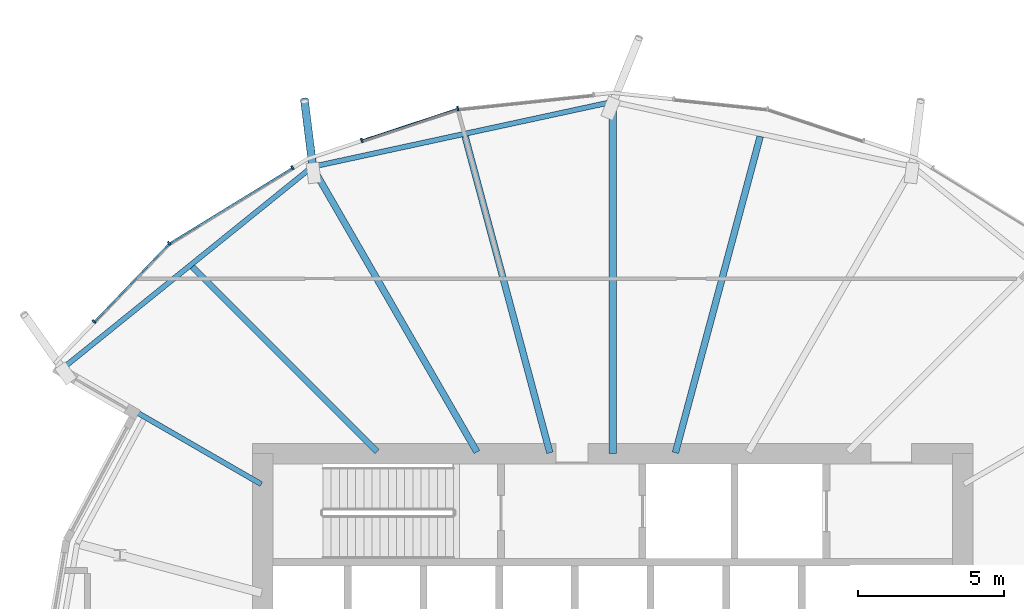
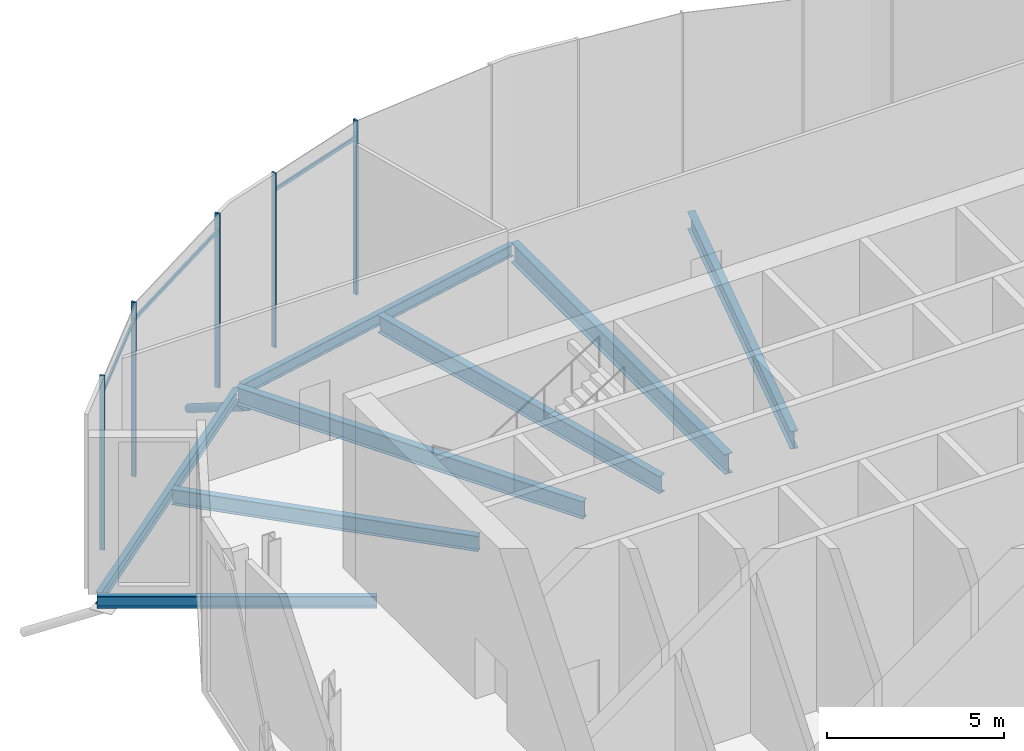
# One storey, part 7 of 38: 9 members, 8 beams, 1 element without a shape of its own.
"""IFC4 building model written with IfcOpenShell, lengths in metres."""

from ifc_helpers import new_model, si_unit, direction, frame, origin, origin_2d, place, context, subcontext, project, spatial, rectangle, hollow_circle, i_section, extrude, clip, halfspace, material, material_profile, profile_set, type_object, element, aggregate, save


model = new_model("IFC4")

# Units and contexts
model_context = context("Model", 3, precision=1e-05, world=origin(), true_north=direction((0.0, 1.0)))
body_context = subcontext(model_context, "Body", "Model", "MODEL_VIEW")
ifc_project = project(units=[si_unit("LENGTHUNIT", "METRE"), si_unit("AREAUNIT", "SQUARE_METRE"), si_unit("VOLUMEUNIT", "CUBIC_METRE"), si_unit("PLANEANGLEUNIT", "RADIAN"), si_unit("MASSUNIT", "GRAM", prefix="KILO")], contexts=[model_context])

# Site, building, storey
site_placement = place(None, origin())
site = spatial("IfcSite", under=ifc_project, at=site_placement, CompositionType="ELEMENT")
building_placement = place(site_placement, origin())
building = spatial("IfcBuilding", under=site, at=building_placement, Name="Rimbun Link Towers", CompositionType="ELEMENT")
storey_placement = place(building_placement, frame((0.0, 0.0, 133.199951171875)))
storey = spatial("IfcBuildingStorey", under=building, at=storey_placement, Name="L32", CompositionType="ELEMENT", Elevation=133.199951171875)

# Curtain wall, members
ifc_material_1 = material(Name="Aluminium 6063-T6 and low-iron glass", Category="aluminium")
curtain_wall_type = type_object("IfcCurtainWallType", Name="CW5 full height lobby wall", PredefinedType="NOTDEFINED", material=ifc_material_1)
curtain_wall_placement = place(storey_placement, origin())
curtain_wall = element("IfcCurtainWall", 1, at=curtain_wall_placement, inside=storey, type_object=curtain_wall_type, Name="CW5 L32 T1", PredefinedType="NOTDEFINED")
ifc_material_2 = material(Name="Aluminium 6063-T6", Category="aluminium")
ifc_material_profile_1 = material_profile(ifc_material_2, rectangle(XDim=0.14990234375, YDim=0.06005859375, at=origin_2d()), Name="MULLION 60X150")
ifc_profile_set_1 = profile_set([ifc_material_profile_1], Name="Aluminium 6063-T6")
member_type_1 = type_object("IfcMemberType", Name="CW5 mullion 60X150", PredefinedType="MULLION", material=ifc_profile_set_1)
member_1_placement = place(storey_placement, frame((-37.059814453125, 19.831298828125, 0.0), z_axis=(0.0, 0.0, 1.0), x_axis=(-0.210874693144, 0.977513101596, 0.0)))
member_1 = element("IfcMember", 2, at=member_1_placement, type_object=member_type_1, Name="CW5 mullion", PredefinedType="MULLION", context=body_context, shape_type="SweptSolid", body=[
    extrude(rectangle(XDim=0.14990234375, YDim=0.06005859375, at=origin_2d()), origin(), (0.0, 0.0, 1.0), 6.0),
])
member_2_placement = place(storey_placement, frame((-40.34814453125, 18.7421875, 0.0), z_axis=(0.0, 0.0, 1.0), x_axis=(-0.314567961741, 0.949234953763, 0.0)))
member_2 = element("IfcMember", 3, at=member_2_placement, type_object=member_type_1, Name="CW5 mullion", PredefinedType="MULLION", context=body_context, shape_type="SweptSolid", body=[
    extrude(rectangle(XDim=0.14990234375, YDim=0.06005859375, at=origin_2d()), origin(), (0.0, 0.0, 1.0), 6.0),
])
member_3_placement = place(storey_placement, frame((-46.951171875, 15.212646484375, 0.0), z_axis=(0.0, 0.0, 1.0), x_axis=(-0.627670674715, 0.778478981157, 0.0)))
member_3 = element("IfcMember", 4, at=member_3_placement, type_object=member_type_1, Name="CW5 mullion", PredefinedType="MULLION", context=body_context, shape_type="SweptSolid", body=[
    extrude(rectangle(XDim=0.14990234375, YDim=0.06005859375, at=origin_2d()), origin(), (0.0, 0.0, 1.0), 6.0),
])
member_4_placement = place(storey_placement, frame((-42.72607421875, 17.807373046875, 0.0), z_axis=(0.0, 0.0, 1.0), x_axis=(-0.523225378089, 0.852194346217, 0.0)))
member_4 = element("IfcMember", 5, at=member_4_placement, type_object=member_type_1, Name="CW5 mullion", PredefinedType="MULLION", context=body_context, shape_type="SweptSolid", body=[
    extrude(rectangle(XDim=0.14990234375, YDim=0.06005859375, at=origin_2d()), origin(), (0.0, 0.0, 1.0), 6.0),
])
member_5_placement = place(storey_placement, frame((-49.52685546875, 12.52685546875, 0.0), z_axis=(0.0, 0.0, 1.0), x_axis=(-0.721858090698, 0.692041109252, 0.0)))
member_5 = element("IfcMember", 6, at=member_5_placement, type_object=member_type_1, Name="CW5 mullion", PredefinedType="MULLION", context=body_context, shape_type="SweptSolid", body=[
    extrude(rectangle(XDim=0.14990234375, YDim=0.06005859375, at=origin_2d()), origin(), (0.0, 0.0, 1.0), 6.0),
])
ifc_material_3 = material(Name="Aluminium 6063-T6", Category="aluminium")
ifc_material_profile_2 = material_profile(ifc_material_3, rectangle(XDim=0.06005859375, YDim=0.1201171875, at=origin_2d()), Name="TRANSOM 60X120")
ifc_profile_set_2 = profile_set([ifc_material_profile_2], Name="Aluminium 6063-T6")
member_type_2 = type_object("IfcMemberType", Name="CW5 transom 60X120", PredefinedType="USERDEFINED", material=ifc_profile_set_2)
member_6_placement = place(storey_placement, frame((-40.3154296875, 18.7392578125, 5.400146484375), z_axis=(0.949242594948, 0.314544902893, 0.0), x_axis=(-0.314544902893, 0.949242594948, 0.0)))
member_6 = element("IfcMember", 7, at=member_6_placement, type_object=member_type_2, Name="CW5 transom", ObjectType="TRANSOM", PredefinedType="USERDEFINED", context=body_context, shape_type="SweptSolid", body=[
    extrude(rectangle(XDim=0.06005859375, YDim=0.1201171875, at=origin_2d()), origin(), (0.0, 0.0, 1.0), 3.395751953125),
])
member_7_placement = place(storey_placement, frame((-46.9111328125, 15.22265625, 5.400146484375), z_axis=(0.852182554645, 0.523244582923, 0.0), x_axis=(-0.523244582923, 0.852182554645, 0.0)))
member_7 = element("IfcMember", 8, at=member_7_placement, type_object=member_type_2, Name="CW5 transom", ObjectType="TRANSOM", PredefinedType="USERDEFINED", context=body_context, shape_type="SweptSolid", body=[
    extrude(rectangle(XDim=0.06005859375, YDim=0.1201171875, at=origin_2d()), origin(), (0.0, 0.0, 1.0), 4.888916015625),
])
member_8_placement = place(storey_placement, frame((-49.496826171875, 12.53955078125, 5.400146484375), z_axis=(0.692040396922, 0.721858773603, 0.0), x_axis=(-0.721858773603, 0.692040396922, 0.0)))
member_8 = element("IfcMember", 9, at=member_8_placement, type_object=member_type_2, Name="CW5 transom", ObjectType="TRANSOM", PredefinedType="USERDEFINED", context=body_context, shape_type="SweptSolid", body=[
    extrude(rectangle(XDim=0.06005859375, YDim=0.1201171875, at=origin_2d()), origin(), (0.0, 0.0, 1.0), 3.651611328125),
])
aggregate(curtain_wall, [member_1, member_2, member_3, member_4, member_5, member_6, member_7, member_8])

# Member
ifc_material_4 = material(Name="Steel S355J2H", Category="steel")
ifc_material_profile_3 = material_profile(ifc_material_4, hollow_circle(Radius=0.136474609375, WallThickness=0.012451171875, at=origin_2d()), Name="CHS 273x12.5")
ifc_profile_set_3 = profile_set([ifc_material_profile_3], Name="Steel S355J2H")
member_type_3 = type_object("IfcMemberType", Name="Floor edge link CHS 273x12.5", PredefinedType="BRACE", material=ifc_profile_set_3)
member_9_placement = place(storey_placement, frame((-42.02294921875, 17.793212890625, -0.900146484375), z_axis=(-0.107708067063, 0.857638902766, -0.502846382857), x_axis=(-0.992206060806, -0.12460791668, 0.0)))
element("IfcMember", 10, at=member_9_placement, inside=storey, type_object=member_type_3, Name="Floor edge link T1 L32 08", PredefinedType="BRACE", context=body_context, shape_type="Clipping", body=[
    clip(extrude(hollow_circle(Radius=0.136474609375, WallThickness=0.012451171875, at=origin_2d()), frame((0.0, 0.0, -0.4892578125)), (0.0, 0.0, 1.0), 3.21826171875), halfspace(frame((0.0, 0.0, -0.22998046875), z_axis=(0.0, 0.864375795154, -0.502846382857)), False)),
])

# Beams
ifc_material_5 = material(Name="Steel S355J2", Category="steel")
ifc_material_profile_4 = material_profile(ifc_material_5, i_section(OverallWidth=0.177978515625, OverallDepth=0.406494140625, WebThickness=0.0078125, FlangeThickness=0.0126953125, at=origin_2d()), Name="UB 406x178x60")
ifc_profile_set_4 = profile_set([ifc_material_profile_4], Name="Steel S355J2")
beam_type_1 = type_object("IfcBeamType", Name="UB 406x178x60", PredefinedType="BEAM", material=ifc_profile_set_4)
beam_1_placement = place(storey_placement, frame((-43.79541015625, 6.954345703125, -0.383056640625), z_axis=(-0.866019794698, 0.500009715097, 0.0), x_axis=(-0.500009715097, -0.866019794698, 0.0)))
element("IfcBeam", 11, at=beam_1_placement, inside=storey, type_object=beam_type_1, Name="Radial beam T1 L32 10", PredefinedType="BEAM", context=body_context, shape_type="SweptSolid", body=[
    extrude(i_section(OverallWidth=0.177978515625, OverallDepth=0.406494140625, WebThickness=0.0078125, FlangeThickness=0.0126953125, at=origin_2d()), origin(), (0.0, 0.0, 1.0), 7.896240234375),
])
beam_2_placement = place(storey_placement, frame((-31.877685546875, 20.03662109375, -0.383056640625), z_axis=(-0.977388184386, -0.211452919162, 0.0), x_axis=(0.211452919162, -0.977388184386, 0.0)))
element("IfcBeam", 12, at=beam_2_placement, inside=storey, type_object=beam_type_1, Name="Edge beam T1 L32 06-08", PredefinedType="BEAM", context=body_context, shape_type="SweptSolid", body=[
    extrude(i_section(OverallWidth=0.177978515625, OverallDepth=0.406494140625, WebThickness=0.0078125, FlangeThickness=0.0126953125, at=origin_2d()), origin(), (0.0, 0.0, 1.0), 10.28515625),
])
beam_3_placement = place(storey_placement, frame((-42.13818359375, 17.763427734375, -0.383056640625), z_axis=(-0.77798655313, -0.628280926934, 0.0), x_axis=(0.628280926934, -0.77798655313, 0.0)))
element("IfcBeam", 13, at=beam_3_placement, inside=storey, type_object=beam_type_1, Name="Edge beam T1 L32 08-10", PredefinedType="BEAM", context=body_context, shape_type="SweptSolid", body=[
    extrude(i_section(OverallWidth=0.177978515625, OverallDepth=0.406494140625, WebThickness=0.0078125, FlangeThickness=0.0126953125, at=origin_2d()), origin(), (0.0, 0.0, 1.0), 10.82373046875),
])
ifc_material_6 = material(Name="Steel S355J2", Category="steel")
ifc_material_profile_5 = material_profile(ifc_material_6, i_section(OverallWidth=0.209228515625, OverallDepth=0.533203125, WebThickness=0.010009765625, FlangeThickness=0.015625, at=origin_2d()), Name="UB 533x210x92")
ifc_profile_set_5 = profile_set([ifc_material_profile_5], Name="Steel S355J2")
beam_type_2 = type_object("IfcBeamType", Name="UB 533x210x92", PredefinedType="BEAM", material=ifc_profile_set_5)
beam_4_placement = place(storey_placement, frame((-39.82470703125, 8.07470703125, -0.446533203125), z_axis=(-0.707106781187, 0.707106781187, 0.0), x_axis=(-0.707106781187, -0.707106781187, 0.0)))
element("IfcBeam", 14, at=beam_4_placement, inside=storey, type_object=beam_type_2, Name="Radial beam T1 L32 09", PredefinedType="BEAM", context=body_context, shape_type="SweptSolid", body=[
    extrude(i_section(OverallWidth=0.209228515625, OverallDepth=0.533203125, WebThickness=0.010009765625, FlangeThickness=0.015625, at=origin_2d()), origin(), (0.0, 0.0, 1.0), 8.951416015625),
])
ifc_material_7 = material(Name="Steel S355J2", Category="steel")
ifc_material_profile_6 = material_profile(ifc_material_7, i_section(OverallWidth=0.2275390625, OverallDepth=0.6025390625, WebThickness=0.010498046875, FlangeThickness=0.014892578125, at=origin_2d()), Name="UB 610x229x101")
ifc_profile_set_6 = profile_set([ifc_material_profile_6], Name="Steel S355J2")
beam_type_3 = type_object("IfcBeamType", Name="UB 610x229x101", PredefinedType="BEAM", material=ifc_profile_set_6)
for number, where, z_axis, x_axis, name in (
    (15, (-29.598388671875, 8.030517578125, -0.481201171875), (0.258834246174, 0.965921753046, 0.0), (-0.965921753046, 0.258834246174, 0.0), "Radial beam T1 L32 05"),
    (16, (-33.901611328125, 8.030517578125, -0.481201171875), (-0.258834246174, 0.965921753046, 0.0), (-0.965921753046, -0.258834246174, 0.0), "Radial beam T1 L32 07"),
):
    element("IfcBeam", number, at=place(storey_placement, frame(where, z_axis=z_axis, x_axis=x_axis)), inside=storey, type_object=beam_type_3, Name=name, PredefinedType="BEAM", context=body_context, shape_type="SweptSolid", body=[
        extrude(i_section(OverallWidth=0.2275390625, OverallDepth=0.6025390625, WebThickness=0.010498046875, FlangeThickness=0.014892578125, at=origin_2d()), origin(), (0.0, 0.0, 1.0), 11.230224609375),
    ])
beam_5_placement = place(storey_placement, frame((-36.402099609375, 8.057861328125, -0.481201171875), z_axis=(-0.500006319009, 0.866021755472, 0.0), x_axis=(-0.866021755472, -0.500006319009, 0.0)))
element("IfcBeam", 17, at=beam_5_placement, inside=storey, type_object=beam_type_3, Name="Radial beam T1 L32 08", PredefinedType="BEAM", context=body_context, shape_type="SweptSolid", body=[
    extrude(i_section(OverallWidth=0.2275390625, OverallDepth=0.6025390625, WebThickness=0.010498046875, FlangeThickness=0.014892578125, at=origin_2d()), origin(), (0.0, 0.0, 1.0), 11.291259765625),
])
ifc_material_8 = material(Name="Steel S355J2", Category="steel")
ifc_material_profile_7 = material_profile(ifc_material_8, i_section(OverallWidth=0.253662109375, OverallDepth=0.68359375, WebThickness=0.012451171875, FlangeThickness=0.01904296875, at=origin_2d()), Name="UB 686x254x140")
ifc_profile_set_7 = profile_set([ifc_material_profile_7], Name="Steel S355J2")
beam_type_4 = type_object("IfcBeamType", Name="UB 686x254x140", PredefinedType="BEAM", material=ifc_profile_set_7)
beam_6_placement = place(storey_placement, frame((-31.75, 8.0009765625, -0.521728515625), z_axis=(0.0, 1.0, 0.0), x_axis=(-1.0, 0.0, 0.0)))
element("IfcBeam", 18, at=beam_6_placement, inside=storey, type_object=beam_type_4, Name="Radial beam T1 L32 06", PredefinedType="BEAM", context=body_context, shape_type="SweptSolid", body=[
    extrude(i_section(OverallWidth=0.253662109375, OverallDepth=0.68359375, WebThickness=0.012451171875, FlangeThickness=0.01904296875, at=origin_2d()), origin(), (0.0, 0.0, 1.0), 12.063232421875),
])

save(model, "model.ifc")
